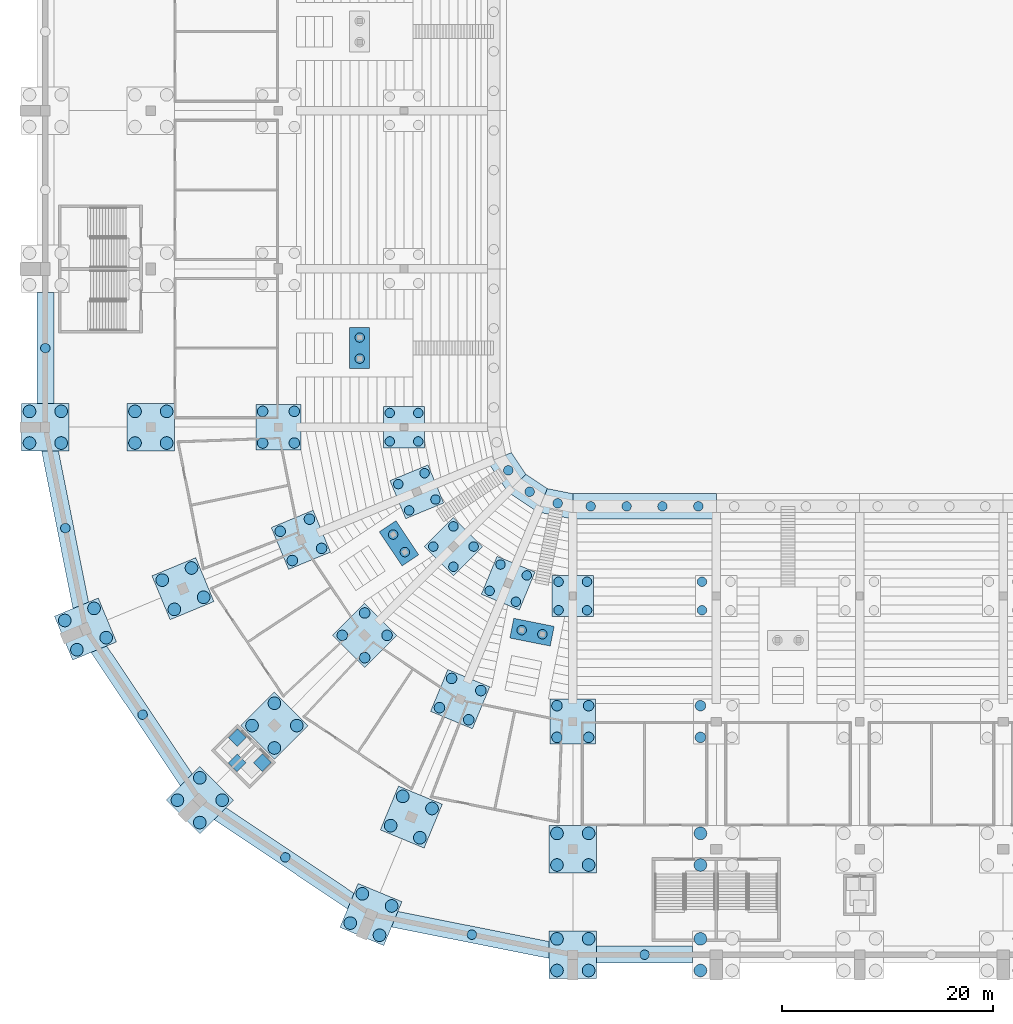
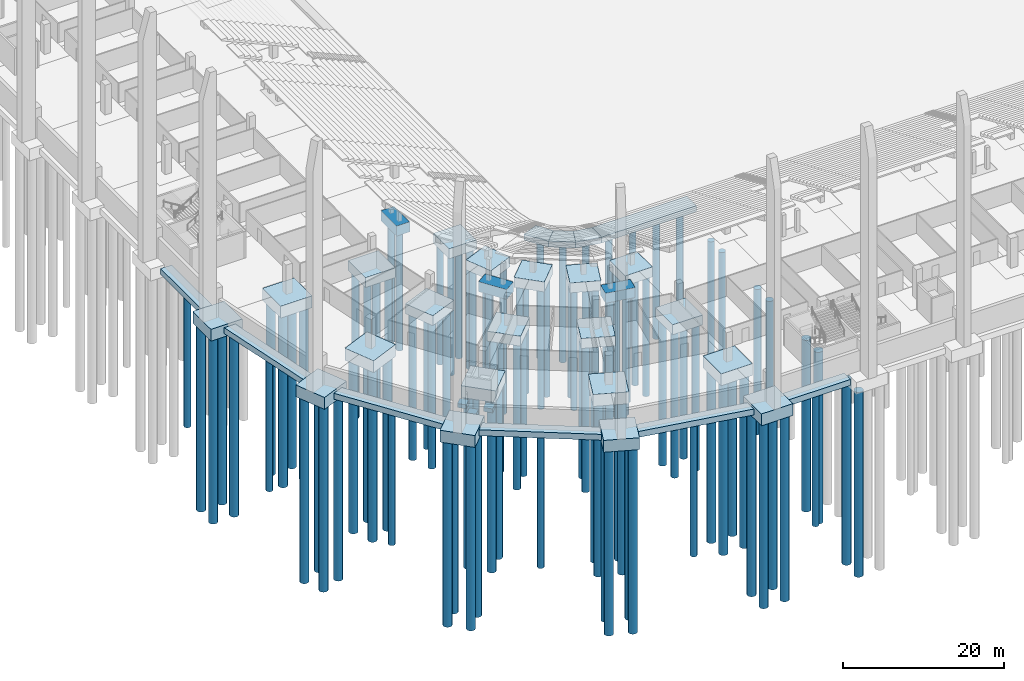
# One storey, part 1 of 115: 107 piles, 36 footings.
"""IFC4 building model written with IfcOpenShell, lengths in metres."""

from ifc_helpers import new_model, si_unit, direction, frame, origin, origin_2d, place, context, subcontext, project, spatial, polyline, rectangle, circle, outline, extrude, material, layer, layer_set, material_profile, profile_set, type_object, element, save


model = new_model("IFC4")

# Units and contexts
model_context = context("Model", 3, precision=1e-05, world=origin(), true_north=direction((0.0, 1.0)))
body_context = subcontext(model_context, "Body", "Model", "MODEL_VIEW")
ifc_project = project(units=[si_unit("LENGTHUNIT", "METRE"), si_unit("AREAUNIT", "SQUARE_METRE"), si_unit("VOLUMEUNIT", "CUBIC_METRE"), si_unit("PLANEANGLEUNIT", "RADIAN"), si_unit("MASSUNIT", "GRAM", prefix="KILO")], contexts=[model_context])

# Site, building, storey
site_placement = place(None, origin())
site = spatial("IfcSite", under=ifc_project, at=site_placement, CompositionType="ELEMENT")
building_placement = place(site_placement, origin())
building = spatial("IfcBuilding", under=site, at=building_placement, Name="Ogive Plaza Stadium", CompositionType="ELEMENT")
storey_placement = place(building_placement, frame((0.0, 0.0, -4.5)))
storey = spatial("IfcBuildingStorey", under=building, at=storey_placement, Name="B1", CompositionType="ELEMENT", Elevation=-4.5)

# Piles
ifc_material_1 = material(Name="Concrete C40/50", Category="concrete")
ifc_material_profile_1 = material_profile(ifc_material_1, circle(Radius=0.5, at=origin_2d()), Name="RC D1000")
ifc_profile_set_1 = profile_set([ifc_material_profile_1], Name="Concrete C40/50")
pile_type_1 = type_object("IfcPileType", Name="Bored pile D1000", PredefinedType="BORED", material=ifc_profile_set_1)
for number, where, z_axis, x_axis, name in (
    (1, (-21.89990234375, -78.89990234375, -1.5), (0.0, 0.0, -1.0), (1.0, 0.0, 0.0), "Bored pile F3:R16 1"),
    (2, (-21.89990234375, -81.89990234375, -1.5), (0.0, 0.0, -1.0), (1.0, 0.0, 0.0), "Bored pile F3:R16 3"),
    (3, (-35.5, -78.89990234375, -1.5), (0.0, 0.0, -1.0), (1.0, 0.0, 0.0), "Bored pile F3:R17 1"),
    (4, (-32.5, -78.89990234375, -1.5), (0.0, 0.0, -1.0), (1.0, 0.0, 0.0), "Bored pile F3:R17 2"),
    (5, (-35.5, -81.89990234375, -1.5), (0.0, 0.0, -1.0), (1.0, 0.0, 0.0), "Bored pile F3:R17 3"),
    (6, (-32.5, -81.89990234375, -1.5), (0.0, 0.0, -1.0), (1.0, 0.0, 0.0), "Bored pile F3:R17 4"),
    (7, (-45.48876953125, -76.31640625, -1.5), (0.0, 0.0, -1.0), (1.0, 0.0, 0.0), "Bored pile F3:R18 1"),
    (8, (-42.717041015625, -77.46435546875, -1.5), (0.0, 0.0, -1.0), (1.0, 0.0, 0.0), "Bored pile F3:R18 2"),
    (9, (-46.63671875, -79.088134765625, -1.5), (0.0, 0.0, -1.0), (1.0, 0.0, 0.0), "Bored pile F3:R18 3"),
    (10, (-43.864990234375, -80.236083984375, -1.5), (0.0, 0.0, -1.0), (1.0, 0.0, 0.0), "Bored pile F3:R18 4"),
    (11, (-53.728271484375, -70.10693359375, -1.5), (0.0, 0.0, -1.0), (1.0, 0.0, 0.0), "Bored pile F3:R19 1"),
    (12, (-51.60693359375, -72.228271484375, -1.5), (0.0, 0.0, -1.0), (1.0, 0.0, 0.0), "Bored pile F3:R19 2"),
    (13, (-55.849609375, -72.228271484375, -1.5), (0.0, 0.0, -1.0), (1.0, 0.0, 0.0), "Bored pile F3:R19 3"),
    (14, (-53.728271484375, -74.349609375, -1.5), (0.0, 0.0, -1.0), (1.0, 0.0, 0.0), "Bored pile F3:R19 4"),
    (15, (-58.96435546875, -61.217041015625, -1.5), (0.0, 0.0, -1.0), (1.0, 0.0, 0.0), "Bored pile F3:R20 1"),
    (16, (-57.81640625, -63.98876953125, -1.5), (0.0, 0.0, -1.0), (1.0, 0.0, 0.0), "Bored pile F3:R20 2"),
    (17, (-61.736083984375, -62.364990234375, -1.5), (0.0, 0.0, -1.0), (1.0, 0.0, 0.0), "Bored pile F3:R20 3"),
    (18, (-60.588134765625, -65.13671875, -1.5), (0.0, 0.0, -1.0), (1.0, 0.0, 0.0), "Bored pile F3:R20 4"),
    (19, (-60.39990234375, -51.0, -1.5), (0.0, 0.0, -1.0), (1.0, 0.0, 0.0), "Bored pile F3:R21 1"),
    (20, (-60.39990234375, -54.0, -1.5), (0.0, 0.0, -1.0), (1.0, 0.0, 0.0), "Bored pile F3:R21 2"),
    (21, (-63.39990234375, -51.0, -1.5), (0.0, 0.0, -1.0), (1.0, 0.0, 0.0), "Bored pile F3:R21 3"),
    (22, (-63.39990234375, -54.0, -1.5), (0.0, 0.0, -1.0), (1.0, 0.0, 0.0), "Bored pile F3:R21 4"),
):
    element("IfcPile", number, at=place(storey_placement, frame(where, z_axis=z_axis, x_axis=x_axis)), inside=storey, type_object=pile_type_1, Name=name, PredefinedType="BORED", context=body_context, shape_type="SweptSolid", body=[
        extrude(circle(Radius=0.5, at=origin_2d()), origin(), (0.0, 0.0, 1.0), 22.0),
    ])
ifc_material_2 = material(Name="Concrete C40/50", Category="concrete")
ifc_material_profile_2 = material_profile(ifc_material_2, circle(Radius=0.60009765625, at=origin_2d()), Name="RC D1200")
ifc_profile_set_2 = profile_set([ifc_material_profile_2], Name="Concrete C40/50")
pile_type_2 = type_object("IfcPileType", Name="Bored pile D1200", PredefinedType="BORED", material=ifc_profile_set_2)
for number, where, z_axis, x_axis, name in (
    (23, (-21.89990234375, -91.0, -1.800048828125), (0.0, 0.0, -1.0), (1.0, 0.0, 0.0), "Bored pile F4:R16 1"),
    (24, (-21.89990234375, -94.0, -1.800048828125), (0.0, 0.0, -1.0), (1.0, 0.0, 0.0), "Bored pile F4:R16 3"),
):
    element("IfcPile", number, at=place(storey_placement, frame(where, z_axis=z_axis, x_axis=x_axis)), inside=storey, type_object=pile_type_2, Name=name, PredefinedType="BORED", context=body_context, shape_type="SweptSolid", body=[
        extrude(circle(Radius=0.60009765625, at=origin_2d()), origin(), (0.0, 0.0, 1.0), 26.0),
    ])
for number, where, z_axis, x_axis, name in (
    (25, (-21.89990234375, -101.0, -1.800048828125), (0.0, 0.0, -1.0), (1.0, 0.0, 0.0), "Bored pile F5:R16 1"),
    (26, (-21.89990234375, -104.0, -1.800048828125), (0.0, 0.0, -1.0), (1.0, 0.0, 0.0), "Bored pile F5:R16 3"),
):
    element("IfcPile", number, at=place(storey_placement, frame(where, z_axis=z_axis, x_axis=x_axis)), inside=storey, type_object=pile_type_2, Name=name, PredefinedType="BORED", context=body_context, shape_type="SweptSolid", body=[
        extrude(circle(Radius=0.60009765625, at=origin_2d()), origin(), (0.0, 0.0, 1.0), 28.0),
    ])
for number, where, z_axis, x_axis, name in (
    (27, (-35.5, -91.0, -1.800048828125), (0.0, 0.0, -1.0), (1.0, 0.0, 0.0), "Bored pile F4:R17 1"),
    (28, (-32.5, -91.0, -1.800048828125), (0.0, 0.0, -1.0), (1.0, 0.0, 0.0), "Bored pile F4:R17 2"),
    (29, (-35.5, -94.0, -1.800048828125), (0.0, 0.0, -1.0), (1.0, 0.0, 0.0), "Bored pile F4:R17 3"),
    (30, (-32.5, -94.0, -1.800048828125), (0.0, 0.0, -1.0), (1.0, 0.0, 0.0), "Bored pile F4:R17 4"),
):
    element("IfcPile", number, at=place(storey_placement, frame(where, z_axis=z_axis, x_axis=x_axis)), inside=storey, type_object=pile_type_2, Name=name, PredefinedType="BORED", context=body_context, shape_type="SweptSolid", body=[
        extrude(circle(Radius=0.60009765625, at=origin_2d()), origin(), (0.0, 0.0, 1.0), 26.0),
    ])
for number, where, z_axis, x_axis, name in (
    (31, (-35.5, -101.0, -1.800048828125), (0.0, 0.0, -1.0), (1.0, 0.0, 0.0), "Bored pile F5:R17 1"),
    (32, (-32.5, -101.0, -1.800048828125), (0.0, 0.0, -1.0), (1.0, 0.0, 0.0), "Bored pile F5:R17 2"),
    (33, (-35.5, -104.0, -1.800048828125), (0.0, 0.0, -1.0), (1.0, 0.0, 0.0), "Bored pile F5:R17 3"),
    (34, (-32.5, -104.0, -1.800048828125), (0.0, 0.0, -1.0), (1.0, 0.0, 0.0), "Bored pile F5:R17 4"),
):
    element("IfcPile", number, at=place(storey_placement, frame(where, z_axis=z_axis, x_axis=x_axis)), inside=storey, type_object=pile_type_2, Name=name, PredefinedType="BORED", context=body_context, shape_type="SweptSolid", body=[
        extrude(circle(Radius=0.60009765625, at=origin_2d()), origin(), (0.0, 0.0, 1.0), 28.0),
    ])
for number, where, z_axis, x_axis, name in (
    (35, (-50.119140625, -87.495361328125, -1.800048828125), (0.0, 0.0, -1.0), (1.0, 0.0, 0.0), "Bored pile F4:R18 1"),
    (36, (-47.347412109375, -88.643310546875, -1.800048828125), (0.0, 0.0, -1.0), (1.0, 0.0, 0.0), "Bored pile F4:R18 2"),
    (37, (-51.26708984375, -90.26708984375, -1.800048828125), (0.0, 0.0, -1.0), (1.0, 0.0, 0.0), "Bored pile F4:R18 3"),
    (38, (-48.49560546875, -91.4150390625, -1.800048828125), (0.0, 0.0, -1.0), (1.0, 0.0, 0.0), "Bored pile F4:R18 4"),
):
    element("IfcPile", number, at=place(storey_placement, frame(where, z_axis=z_axis, x_axis=x_axis)), inside=storey, type_object=pile_type_2, Name=name, PredefinedType="BORED", context=body_context, shape_type="SweptSolid", body=[
        extrude(circle(Radius=0.60009765625, at=origin_2d()), origin(), (0.0, 0.0, 1.0), 26.0),
    ])
for number, where, z_axis, x_axis, name in (
    (39, (-53.946044921875, -96.734130859375, -1.800048828125), (0.0, 0.0, -1.0), (1.0, 0.0, 0.0), "Bored pile F5:R18 1"),
    (40, (-51.17431640625, -97.882080078125, -1.800048828125), (0.0, 0.0, -1.0), (1.0, 0.0, 0.0), "Bored pile F5:R18 2"),
    (41, (-55.093994140625, -99.505859375, -1.800048828125), (0.0, 0.0, -1.0), (1.0, 0.0, 0.0), "Bored pile F5:R18 3"),
    (42, (-52.322265625, -100.65380859375, -1.800048828125), (0.0, 0.0, -1.0), (1.0, 0.0, 0.0), "Bored pile F5:R18 4"),
):
    element("IfcPile", number, at=place(storey_placement, frame(where, z_axis=z_axis, x_axis=x_axis)), inside=storey, type_object=pile_type_2, Name=name, PredefinedType="BORED", context=body_context, shape_type="SweptSolid", body=[
        extrude(circle(Radius=0.60009765625, at=origin_2d()), origin(), (0.0, 0.0, 1.0), 28.0),
    ])
for number, where, z_axis, x_axis, name in (
    (43, (-62.2841796875, -78.662841796875, -1.800048828125), (0.0, 0.0, -1.0), (1.0, 0.0, 0.0), "Bored pile F4:R19 1"),
    (44, (-60.162841796875, -80.7841796875, -1.800048828125), (0.0, 0.0, -1.0), (1.0, 0.0, 0.0), "Bored pile F4:R19 2"),
    (45, (-64.405517578125, -80.7841796875, -1.800048828125), (0.0, 0.0, -1.0), (1.0, 0.0, 0.0), "Bored pile F4:R19 3"),
    (46, (-62.2841796875, -82.905517578125, -1.800048828125), (0.0, 0.0, -1.0), (1.0, 0.0, 0.0), "Bored pile F4:R19 4"),
):
    element("IfcPile", number, at=place(storey_placement, frame(where, z_axis=z_axis, x_axis=x_axis)), inside=storey, type_object=pile_type_2, Name=name, PredefinedType="BORED", context=body_context, shape_type="SweptSolid", body=[
        extrude(circle(Radius=0.60009765625, at=origin_2d()), origin(), (0.0, 0.0, 1.0), 26.0),
    ])
for number, where, z_axis, x_axis, name in (
    (47, (-69.355224609375, -85.734130859375, -1.800048828125), (0.0, 0.0, -1.0), (1.0, 0.0, 0.0), "Bored pile F5:R19 1"),
    (48, (-67.234130859375, -87.855224609375, -1.800048828125), (0.0, 0.0, -1.0), (1.0, 0.0, 0.0), "Bored pile F5:R19 2"),
    (49, (-71.4765625, -87.855224609375, -1.800048828125), (0.0, 0.0, -1.0), (1.0, 0.0, 0.0), "Bored pile F5:R19 3"),
    (50, (-69.355224609375, -89.9765625, -1.800048828125), (0.0, 0.0, -1.0), (1.0, 0.0, 0.0), "Bored pile F5:R19 4"),
):
    element("IfcPile", number, at=place(storey_placement, frame(where, z_axis=z_axis, x_axis=x_axis)), inside=storey, type_object=pile_type_2, Name=name, PredefinedType="BORED", context=body_context, shape_type="SweptSolid", body=[
        extrude(circle(Radius=0.60009765625, at=origin_2d()), origin(), (0.0, 0.0, 1.0), 28.0),
    ])
for number, where, z_axis, x_axis, name in (
    (51, (-70.143310546875, -65.847412109375, -1.800048828125), (0.0, 0.0, -1.0), (1.0, 0.0, 0.0), "Bored pile F4:R20 1"),
    (52, (-68.995361328125, -68.619140625, -1.800048828125), (0.0, 0.0, -1.0), (1.0, 0.0, 0.0), "Bored pile F4:R20 2"),
    (53, (-72.9150390625, -66.99560546875, -1.800048828125), (0.0, 0.0, -1.0), (1.0, 0.0, 0.0), "Bored pile F4:R20 3"),
    (54, (-71.76708984375, -69.76708984375, -1.800048828125), (0.0, 0.0, -1.0), (1.0, 0.0, 0.0), "Bored pile F4:R20 4"),
):
    element("IfcPile", number, at=place(storey_placement, frame(where, z_axis=z_axis, x_axis=x_axis)), inside=storey, type_object=pile_type_2, Name=name, PredefinedType="BORED", context=body_context, shape_type="SweptSolid", body=[
        extrude(circle(Radius=0.60009765625, at=origin_2d()), origin(), (0.0, 0.0, 1.0), 26.0),
    ])
for number, where, z_axis, x_axis, name in (
    (55, (-79.382080078125, -69.67431640625, -1.800048828125), (0.0, 0.0, -1.0), (1.0, 0.0, 0.0), "Bored pile F5:R20 1"),
    (56, (-78.234130859375, -72.446044921875, -1.800048828125), (0.0, 0.0, -1.0), (1.0, 0.0, 0.0), "Bored pile F5:R20 2"),
    (57, (-82.15380859375, -70.822265625, -1.800048828125), (0.0, 0.0, -1.0), (1.0, 0.0, 0.0), "Bored pile F5:R20 3"),
    (58, (-81.005859375, -73.593994140625, -1.800048828125), (0.0, 0.0, -1.0), (1.0, 0.0, 0.0), "Bored pile F5:R20 4"),
):
    element("IfcPile", number, at=place(storey_placement, frame(where, z_axis=z_axis, x_axis=x_axis)), inside=storey, type_object=pile_type_2, Name=name, PredefinedType="BORED", context=body_context, shape_type="SweptSolid", body=[
        extrude(circle(Radius=0.60009765625, at=origin_2d()), origin(), (0.0, 0.0, 1.0), 28.0),
    ])
for number, where, z_axis, x_axis, name in (
    (59, (-72.5, -51.0, -1.800048828125), (0.0, 0.0, -1.0), (1.0, 0.0, 0.0), "Bored pile F4:R21 1"),
    (60, (-72.5, -54.0, -1.800048828125), (0.0, 0.0, -1.0), (1.0, 0.0, 0.0), "Bored pile F4:R21 2"),
    (61, (-75.5, -51.0, -1.800048828125), (0.0, 0.0, -1.0), (1.0, 0.0, 0.0), "Bored pile F4:R21 3"),
    (62, (-75.5, -54.0, -1.800048828125), (0.0, 0.0, -1.0), (1.0, 0.0, 0.0), "Bored pile F4:R21 4"),
):
    element("IfcPile", number, at=place(storey_placement, frame(where, z_axis=z_axis, x_axis=x_axis)), inside=storey, type_object=pile_type_2, Name=name, PredefinedType="BORED", context=body_context, shape_type="SweptSolid", body=[
        extrude(circle(Radius=0.60009765625, at=origin_2d()), origin(), (0.0, 0.0, 1.0), 26.0),
    ])
for number, where, z_axis, x_axis, name in (
    (63, (-82.5, -51.0, -1.800048828125), (0.0, 0.0, -1.0), (1.0, 0.0, 0.0), "Bored pile F5:R21 1"),
    (64, (-82.5, -54.0, -1.800048828125), (0.0, 0.0, -1.0), (1.0, 0.0, 0.0), "Bored pile F5:R21 2"),
    (65, (-85.5, -51.0, -1.800048828125), (0.0, 0.0, -1.0), (1.0, 0.0, 0.0), "Bored pile F5:R21 3"),
    (66, (-85.5, -54.0, -1.800048828125), (0.0, 0.0, -1.0), (1.0, 0.0, 0.0), "Bored pile F5:R21 4"),
):
    element("IfcPile", number, at=place(storey_placement, frame(where, z_axis=z_axis, x_axis=x_axis)), inside=storey, type_object=pile_type_2, Name=name, PredefinedType="BORED", context=body_context, shape_type="SweptSolid", body=[
        extrude(circle(Radius=0.60009765625, at=origin_2d()), origin(), (0.0, 0.0, 1.0), 28.0),
    ])
ifc_material_3 = material(Name="Concrete C40/50", Category="concrete")
ifc_material_profile_3 = material_profile(ifc_material_3, circle(Radius=0.449951171875, at=origin_2d()), Name="RC D900")
ifc_profile_set_3 = profile_set([ifc_material_profile_3], Name="Concrete C40/50")
pile_type_3 = type_object("IfcPileType", Name="Bored pile D900", PredefinedType="BORED", material=ifc_profile_set_3)
for number, where, z_axis, x_axis, name in (
    (67, (-21.75, -67.14990234375, -1.5), (0.0, 0.0, -1.0), (1.0, 0.0, 0.0), "Bored pile F1:R16 1"),
    (68, (-21.75, -69.85009765625, -1.5), (0.0, 0.0, -1.0), (1.0, 0.0, 0.0), "Bored pile F1:R16 3"),
    (69, (-35.35009765625, -67.14990234375, -1.5), (0.0, 0.0, -1.0), (1.0, 0.0, 0.0), "Bored pile F1:R17 1"),
    (70, (-32.64990234375, -67.14990234375, -1.5), (0.0, 0.0, -1.0), (1.0, 0.0, 0.0), "Bored pile F1:R17 2"),
    (71, (-35.35009765625, -69.85009765625, -1.5), (0.0, 0.0, -1.0), (1.0, 0.0, 0.0), "Bored pile F1:R17 3"),
    (72, (-32.64990234375, -69.85009765625, -1.5), (0.0, 0.0, -1.0), (1.0, 0.0, 0.0), "Bored pile F1:R17 4"),
    (73, (-40.853515625, -65.518310546875, -1.5), (0.0, 0.0, -1.0), (1.0, 0.0, 0.0), "Bored pile F1:R18 1"),
    (74, (-38.359130859375, -66.551513671875, -1.5), (0.0, 0.0, -1.0), (1.0, 0.0, 0.0), "Bored pile F1:R18 2"),
    (75, (-41.88671875, -68.0126953125, -1.5), (0.0, 0.0, -1.0), (1.0, 0.0, 0.0), "Bored pile F1:R18 3"),
    (76, (-39.392333984375, -69.0458984375, -1.5), (0.0, 0.0, -1.0), (1.0, 0.0, 0.0), "Bored pile F1:R18 4"),
    (77, (-45.313720703125, -61.904541015625, -1.5), (0.0, 0.0, -1.0), (1.0, 0.0, 0.0), "Bored pile F1:R19 1"),
    (78, (-43.404541015625, -63.813720703125, -1.5), (0.0, 0.0, -1.0), (1.0, 0.0, 0.0), "Bored pile F1:R19 2"),
    (79, (-47.222900390625, -63.813720703125, -1.5), (0.0, 0.0, -1.0), (1.0, 0.0, 0.0), "Bored pile F1:R19 3"),
    (80, (-45.313720703125, -65.722900390625, -1.5), (0.0, 0.0, -1.0), (1.0, 0.0, 0.0), "Bored pile F1:R19 4"),
    (81, (-48.051513671875, -56.859130859375, -1.5), (0.0, 0.0, -1.0), (1.0, 0.0, 0.0), "Bored pile F1:R20 1"),
    (82, (-47.018310546875, -59.353515625, -1.5), (0.0, 0.0, -1.0), (1.0, 0.0, 0.0), "Bored pile F1:R20 2"),
    (83, (-50.5458984375, -57.892333984375, -1.5), (0.0, 0.0, -1.0), (1.0, 0.0, 0.0), "Bored pile F1:R20 3"),
    (84, (-49.5126953125, -60.38671875, -1.5), (0.0, 0.0, -1.0), (1.0, 0.0, 0.0), "Bored pile F1:R20 4"),
    (85, (-48.64990234375, -51.14990234375, -1.5), (0.0, 0.0, -1.0), (1.0, 0.0, 0.0), "Bored pile F1:R21 1"),
    (86, (-48.64990234375, -53.85009765625, -1.5), (0.0, 0.0, -1.0), (1.0, 0.0, 0.0), "Bored pile F1:R21 2"),
    (87, (-51.35009765625, -51.14990234375, -1.5), (0.0, 0.0, -1.0), (1.0, 0.0, 0.0), "Bored pile F1:R21 3"),
    (88, (-51.35009765625, -53.85009765625, -1.5), (0.0, 0.0, -1.0), (1.0, 0.0, 0.0), "Bored pile F1:R21 4"),
    (89, (-22.10009765625, -60.0, -1.300048828125), (0.0, 0.0, -1.0), (1.0, 0.0, 0.0), "Bored pile F0:B16 1"),
    (90, (-25.5, -60.0, -1.300048828125), (0.0, 0.0, -1.0), (1.0, 0.0, 0.0), "Bored pile F0:B16 2"),
    (91, (-28.89990234375, -60.0, -1.300048828125), (0.0, 0.0, -1.0), (1.0, 0.0, 0.0), "Bored pile F0:B16 3"),
    (92, (-32.300048828125, -60.0, -1.300048828125), (0.0, 0.0, -1.0), (1.0, 0.0, 0.0), "Bored pile F0:B16 4"),
    (93, (-35.43505859375, -59.714599609375, -1.300048828125), (0.0, 0.0, -1.0), (1.0, 0.0, 0.0), "Bored pile F0:B17 1"),
    (94, (-38.086669921875, -58.6162109375, -1.300048828125), (0.0, 0.0, -1.0), (1.0, 0.0, 0.0), "Bored pile F0:B18 1"),
    (95, (-40.1162109375, -56.586669921875, -1.300048828125), (0.0, 0.0, -1.0), (1.0, 0.0, 0.0), "Bored pile F0:B19 1"),
):
    element("IfcPile", number, at=place(storey_placement, frame(where, z_axis=z_axis, x_axis=x_axis)), inside=storey, type_object=pile_type_3, Name=name, PredefinedType="BORED", context=body_context, shape_type="SweptSolid", body=[
        extrude(circle(Radius=0.449951171875, at=origin_2d()), origin(), (0.0, 0.0, 1.0), 18.0),
    ])
for number, where, z_axis, x_axis, name in (
    (96, (-27.199951171875, -102.5, -1.300048828125), (0.0, 0.0, -1.0), (1.0, 0.0, 0.0), "Bored pile RET:B16 1"),
    (97, (-43.568115234375, -100.602294921875, -1.300048828125), (0.0, 0.0, -1.0), (1.0, 0.0, 0.0), "Bored pile RET:B17 1"),
    (98, (-61.247802734375, -93.279296875, -1.300048828125), (0.0, 0.0, -1.0), (1.0, 0.0, 0.0), "Bored pile RET:B18 1"),
    (99, (-74.779296875, -79.747802734375, -1.300048828125), (0.0, 0.0, -1.0), (1.0, 0.0, 0.0), "Bored pile RET:B19 1"),
    (100, (-82.102294921875, -62.068115234375, -1.300048828125), (0.0, 0.0, -1.0), (1.0, 0.0, 0.0), "Bored pile RET:B20 1"),
    (101, (-84.0, -45.0, -1.300048828125), (0.0, 0.0, -1.0), (1.0, 0.0, 0.0), "Bored pile RET:B21 1"),
):
    element("IfcPile", number, at=place(storey_placement, frame(where, z_axis=z_axis, x_axis=x_axis)), inside=storey, type_object=pile_type_3, Name=name, PredefinedType="BORED", context=body_context, shape_type="SweptSolid", body=[
        extrude(circle(Radius=0.449951171875, at=origin_2d()), origin(), (0.0, 0.0, 1.0), 20.0),
    ])
for number, where, z_axis, x_axis, name in (
    (102, (-38.845947265625, -71.736083984375, -1.5), (0.0, 0.0, -1.0), (1.0, 0.0, 0.0), "Bored pile F1V:B17 1"),
    (103, (-36.88427734375, -72.126220703125, -1.5), (0.0, 0.0, -1.0), (1.0, 0.0, 0.0), "Bored pile F1V:B17 2"),
    (104, (-51.028564453125, -62.67529296875, -1.5), (0.0, 0.0, -1.0), (1.0, 0.0, 0.0), "Bored pile F1V:B19 1"),
    (105, (-49.91748046875, -64.33837890625, -1.5), (0.0, 0.0, -1.0), (1.0, 0.0, 0.0), "Bored pile F1V:B19 2"),
    (106, (-54.199951171875, -44.0, -1.5), (0.0, 0.0, -1.0), (1.0, 0.0, 0.0), "Bored pile F1V:B21 1"),
    (107, (-54.199951171875, -46.0, -1.5), (0.0, 0.0, -1.0), (1.0, 0.0, 0.0), "Bored pile F1V:B21 2"),
):
    element("IfcPile", number, at=place(storey_placement, frame(where, z_axis=z_axis, x_axis=x_axis)), inside=storey, type_object=pile_type_3, Name=name, PredefinedType="BORED", context=body_context, shape_type="SweptSolid", body=[
        extrude(circle(Radius=0.449951171875, at=origin_2d()), origin(), (0.0, 0.0, 1.0), 18.0),
    ])

# Footings
ifc_material_4 = material(Name="Concrete C40/50", Category="concrete")
ifc_layer_1 = layer(ifc_material_4, 0.60009765625)
ifc_layer_set_1 = layer_set([ifc_layer_1], Name="Concrete C40/50")
footing_type_1 = type_object("IfcFootingType", Name="Lift pit pad 1200x1200", PredefinedType="PAD_FOOTING", material=ifc_layer_set_1)
for number, where, z_axis, x_axis, name in (
    (108, (-65.80224609375, -81.933349609375, -2.2099609375), (0.0, 0.0, 1.0), (-0.707106781187, -0.707106781187, 0.0), "Lift pit pad LP19"),
    (109, (-63.433349609375, -84.30224609375, -2.2099609375), (0.0, 0.0, 1.0), (-0.707106781187, -0.707106781187, 0.0), "Lift pit pad LP19"),
    (110, (-65.81982421875, -84.31982421875, -2.2099609375), (0.0, 0.0, 1.0), (-0.707106781187, -0.707106781187, 0.0), "Lift pit pad LP19"),
):
    element("IfcFooting", number, at=place(storey_placement, frame(where, z_axis=z_axis, x_axis=x_axis)), inside=storey, type_object=footing_type_1, Name=name, PredefinedType="PAD_FOOTING", context=body_context, shape_type="SweptSolid", body=[
        extrude(rectangle(XDim=1.199951171875, YDim=1.199951171875, at=origin_2d()), origin(), (0.0, 0.0, 1.0), 0.60009765625),
    ])
ifc_material_5 = material(Name="Concrete C40/50", Category="concrete")
ifc_layer_2 = layer(ifc_material_5, 1.5)
ifc_layer_set_2 = layer_set([ifc_layer_2], Name="Concrete C40/50")
footing_type_2 = type_object("IfcFootingType", Name="Pile cap F1 3900x1500", PredefinedType="PILE_CAP", material=ifc_layer_set_2)
for number, where, z_axis, x_axis, name in (
    (111, (-34.0, -68.5, -1.5), (0.0, 0.0, 1.0), (0.0, -1.0, 0.0), "Pile cap F1 R17"),
    (112, (-40.123046875, -67.281982421875, -1.5), (0.0, 0.0, 1.0), (-0.382683432365, -0.923879532511, 0.0), "Pile cap F1 R18"),
    (113, (-45.313720703125, -63.813720703125, -1.5), (0.0, 0.0, 1.0), (-0.707106781187, -0.707106781187, 0.0), "Pile cap F1 R19"),
    (114, (-48.781982421875, -58.623046875, -1.5), (0.0, 0.0, 1.0), (-0.923879532511, -0.382683432365, 0.0), "Pile cap F1 R20"),
    (115, (-50.0, -52.5, -1.5), (0.0, 0.0, 1.0), (-1.0, 0.0, 0.0), "Pile cap F1 R21"),
):
    element("IfcFooting", number, at=place(storey_placement, frame(where, z_axis=z_axis, x_axis=x_axis)), inside=storey, type_object=footing_type_2, Name=name, PredefinedType="PILE_CAP", context=body_context, shape_type="SweptSolid", body=[
        extrude(rectangle(XDim=3.89990234375, YDim=3.89990234375, at=origin_2d()), origin(), (0.0, 0.0, 1.0), 1.5),
    ])
ifc_material_6 = material(Name="Concrete C40/50", Category="concrete")
ifc_layer_3 = layer(ifc_material_6, 1.5)
ifc_layer_set_3 = layer_set([ifc_layer_3], Name="Concrete C40/50")
footing_type_3 = type_object("IfcFootingType", Name="Pile cap F1V 1900x3900", PredefinedType="PILE_CAP", material=ifc_layer_set_3)
for number, where, z_axis, x_axis, name in (
    (116, (-37.864990234375, -71.93115234375, -1.5), (0.0, 0.0, 1.0), (-0.195090322016, -0.980785280403, 0.0), "Pile cap F1V B17"),
    (117, (-50.472900390625, -63.5068359375, -1.5), (0.0, 0.0, 1.0), (-0.831469612303, -0.55557023302, 0.0), "Pile cap F1V B19"),
    (118, (-54.199951171875, -45.0, -1.5), (0.0, 0.0, 1.0), (-1.0, 0.0, 0.0), "Pile cap F1V B21"),
):
    element("IfcFooting", number, at=place(storey_placement, frame(where, z_axis=z_axis, x_axis=x_axis)), inside=storey, type_object=footing_type_3, Name=name, PredefinedType="PILE_CAP", context=body_context, shape_type="SweptSolid", body=[
        extrude(rectangle(XDim=1.89990234375, YDim=3.89990234375, at=origin_2d()), origin(), (0.0, 0.0, 1.0), 1.5),
    ])
ifc_material_7 = material(Name="Concrete C40/50", Category="concrete")
ifc_layer_4 = layer(ifc_material_7, 1.5)
ifc_layer_set_4 = layer_set([ifc_layer_4], Name="Concrete C40/50")
footing_type_4 = type_object("IfcFootingType", Name="Pile cap F3 4300x1500", PredefinedType="PILE_CAP", material=ifc_layer_set_4)
for number, where, z_axis, x_axis, name in (
    (119, (-34.0, -80.39990234375, -1.5), (0.0, 0.0, 1.0), (0.0, -1.0, 0.0), "Pile cap F3 R17"),
    (120, (-44.6767578125, -78.276123046875, -1.5), (0.0, 0.0, 1.0), (-0.382683432365, -0.923879532511, 0.0), "Pile cap F3 R18"),
    (121, (-53.728271484375, -72.228271484375, -1.5), (0.0, 0.0, 1.0), (-0.707106781187, -0.707106781187, 0.0), "Pile cap F3 R19"),
    (122, (-59.776123046875, -63.1767578125, -1.5), (0.0, 0.0, 1.0), (-0.923879532511, -0.382683432365, 0.0), "Pile cap F3 R20"),
    (123, (-61.89990234375, -52.5, -1.5), (0.0, 0.0, 1.0), (-1.0, 0.0, 0.0), "Pile cap F3 R21"),
):
    element("IfcFooting", number, at=place(storey_placement, frame(where, z_axis=z_axis, x_axis=x_axis)), inside=storey, type_object=footing_type_4, Name=name, PredefinedType="PILE_CAP", context=body_context, shape_type="SweptSolid", body=[
        extrude(rectangle(XDim=4.300048828125, YDim=4.300048828125, at=origin_2d()), origin(), (0.0, 0.0, 1.0), 1.5),
    ])
ifc_material_8 = material(Name="Concrete C40/50", Category="concrete")
ifc_layer_5 = layer(ifc_material_8, 1.800048828125)
ifc_layer_set_5 = layer_set([ifc_layer_5], Name="Concrete C40/50")
footing_type_5 = type_object("IfcFootingType", Name="Pile cap F4 4500x1800", PredefinedType="PILE_CAP", material=ifc_layer_set_5)
for number, where, z_axis, x_axis, name in (
    (124, (-34.0, -92.5, -1.7998046875), (0.0, 0.0, 1.0), (0.0, -1.0, 0.0), "Pile cap F4 R17"),
    (125, (-49.307373046875, -89.455078125, -1.7998046875), (0.0, 0.0, 1.0), (-0.382683432365, -0.923879532511, 0.0), "Pile cap F4 R18"),
    (126, (-62.2841796875, -80.7841796875, -1.7998046875), (0.0, 0.0, 1.0), (-0.707106781187, -0.707106781187, 0.0), "Pile cap F4 R19"),
    (127, (-70.955078125, -67.807373046875, -1.7998046875), (0.0, 0.0, 1.0), (-0.923879532511, -0.382683432365, 0.0), "Pile cap F4 R20"),
    (128, (-74.0, -52.5, -1.7998046875), (0.0, 0.0, 1.0), (-1.0, 0.0, 0.0), "Pile cap F4 R21"),
):
    element("IfcFooting", number, at=place(storey_placement, frame(where, z_axis=z_axis, x_axis=x_axis)), inside=storey, type_object=footing_type_5, Name=name, PredefinedType="PILE_CAP", context=body_context, shape_type="SweptSolid", body=[
        extrude(rectangle(XDim=4.5, YDim=4.5, at=origin_2d()), origin(), (0.0, 0.0, 1.0), 1.800048828125),
    ])
ifc_material_9 = material(Name="Concrete C40/50", Category="concrete")
ifc_layer_6 = layer(ifc_material_9, 1.800048828125)
ifc_layer_set_6 = layer_set([ifc_layer_6], Name="Concrete C40/50")
footing_type_6 = type_object("IfcFootingType", Name="Pile cap F5 4500x1800", PredefinedType="PILE_CAP", material=ifc_layer_set_6)
for number, where, z_axis, x_axis, name in (
    (129, (-34.0, -102.5, -1.7998046875), (0.0, 0.0, 1.0), (0.0, -1.0, 0.0), "Pile cap F5 R17"),
    (130, (-53.13427734375, -98.694091796875, -1.7998046875), (0.0, 0.0, 1.0), (-0.382683432365, -0.923879532511, 0.0), "Pile cap F5 R18"),
    (131, (-69.355224609375, -87.855224609375, -1.7998046875), (0.0, 0.0, 1.0), (-0.707106781187, -0.707106781187, 0.0), "Pile cap F5 R19"),
    (132, (-80.194091796875, -71.63427734375, -1.7998046875), (0.0, 0.0, 1.0), (-0.923879532511, -0.382683432365, 0.0), "Pile cap F5 R20"),
    (133, (-84.0, -52.5, -1.7998046875), (0.0, 0.0, 1.0), (-1.0, 0.0, 0.0), "Pile cap F5 R21"),
):
    element("IfcFooting", number, at=place(storey_placement, frame(where, z_axis=z_axis, x_axis=x_axis)), inside=storey, type_object=footing_type_6, Name=name, PredefinedType="PILE_CAP", context=body_context, shape_type="SweptSolid", body=[
        extrude(rectangle(XDim=4.5, YDim=4.5, at=origin_2d()), origin(), (0.0, 0.0, 1.0), 1.800048828125),
    ])
ifc_material_10 = material(Name="Concrete C40/50", Category="concrete")
ifc_layer_7 = layer(ifc_material_10, 0.89990234375)
ifc_layer_set_7 = layer_set([ifc_layer_7], Name="Concrete C40/50")
footing_type_7 = type_object("IfcFootingType", Name="Strip footing F0 900", PredefinedType="STRIP_FOOTING", material=ifc_layer_set_7)
footing_1_placement = place(storey_placement, frame((0.0, 0.0, -1.300048828125)))
element("IfcFooting", 134, at=footing_1_placement, inside=storey, type_object=footing_type_7, Name="Strip footing F0 B16", PredefinedType="STRIP_FOOTING", context=body_context, shape_type="SweptSolid", body=[
    extrude(outline(polyline([(-34.0, -58.800048828125), (-34.0, -61.199951171875), (-20.39990234375, -61.199951171875), (-20.39990234375, -58.800048828125), (-34.0, -58.800048828125)])), origin(), (0.0, 0.0, 1.0), 0.900146484375),
])
footing_2_placement = place(storey_placement, frame((0.0, 0.0, -1.300048828125)))
element("IfcFooting", 135, at=footing_2_placement, inside=storey, type_object=footing_type_7, Name="Strip footing F0 B17", PredefinedType="STRIP_FOOTING", context=body_context, shape_type="SweptSolid", body=[
    extrude(outline(polyline([(-36.410888671875, -58.320556640625), (-37.329345703125, -60.537841796875), (-34.0, -61.199951171875), (-34.0, -58.800048828125), (-36.410888671875, -58.320556640625)])), origin(), (0.0, 0.0, 1.0), 0.900146484375),
])
footing_3_placement = place(storey_placement, frame((0.0, 0.0, -1.300048828125)))
element("IfcFooting", 136, at=footing_3_placement, inside=storey, type_object=footing_type_7, Name="Strip footing F0 B18", PredefinedType="STRIP_FOOTING", context=body_context, shape_type="SweptSolid", body=[
    extrude(outline(polyline([(-38.454833984375, -56.954833984375), (-40.15185546875, -58.65185546875), (-37.329345703125, -60.537841796875), (-36.410888671875, -58.320556640625), (-38.454833984375, -56.954833984375)])), origin(), (0.0, 0.0, 1.0), 0.900146484375),
])
footing_4_placement = place(storey_placement, frame((0.0, 0.0, -1.300048828125)))
element("IfcFooting", 137, at=footing_4_placement, inside=storey, type_object=footing_type_7, Name="Strip footing F0 B19", PredefinedType="STRIP_FOOTING", context=body_context, shape_type="SweptSolid", body=[
    extrude(outline(polyline([(-39.820556640625, -54.910888671875), (-42.037841796875, -55.829345703125), (-40.15185546875, -58.65185546875), (-38.454833984375, -56.954833984375), (-39.820556640625, -54.910888671875)])), origin(), (0.0, 0.0, 1.0), 0.900146484375),
])
ifc_material_11 = material(Name="Concrete C40/50", Category="concrete")
ifc_layer_8 = layer(ifc_material_11, 0.89990234375)
ifc_layer_set_8 = layer_set([ifc_layer_8], Name="Concrete C40/50")
footing_type_8 = type_object("IfcFootingType", Name="Strip footing RET 900", PredefinedType="STRIP_FOOTING", material=ifc_layer_set_8)
footing_5_placement = place(storey_placement, frame((0.0, 0.0, -1.300048828125)))
element("IfcFooting", 138, at=footing_5_placement, inside=storey, type_object=footing_type_8, Name="Strip footing retaining wall B16", PredefinedType="STRIP_FOOTING", context=body_context, shape_type="SweptSolid", body=[
    extrude(outline(polyline([(-31.75, -101.699951171875), (-31.75, -103.300048828125), (-22.64990234375, -103.300048828125), (-22.64990234375, -101.699951171875), (-31.75, -101.699951171875)])), origin(), (0.0, 0.0, 1.0), 0.900146484375),
])
footing_6_placement = place(storey_placement, frame((0.0, 0.0, -1.300048828125)))
element("IfcFooting", 139, at=footing_6_placement, inside=storey, type_object=footing_type_8, Name="Strip footing retaining wall B17", PredefinedType="STRIP_FOOTING", context=body_context, shape_type="SweptSolid", body=[
    extrude(outline(polyline([(-50.578125, -98.40234375), (-51.1904296875, -99.880615234375), (-36.25, -102.8525390625), (-36.25, -101.25244140625), (-50.578125, -98.40234375)])), origin(), (0.0, 0.0, 1.0), 0.900146484375),
])
footing_7_placement = place(storey_placement, frame((0.0, 0.0, -1.300048828125)))
element("IfcFooting", 140, at=footing_7_placement, inside=storey, type_object=footing_type_8, Name="Strip footing retaining wall B18", PredefinedType="STRIP_FOOTING", context=body_context, shape_type="SweptSolid", body=[
    extrude(outline(polyline([(-66.882080078125, -88.564208984375), (-68.013671875, -89.695556640625), (-55.34765625, -98.158447265625), (-54.735595703125, -96.680419921875), (-66.882080078125, -88.564208984375)])), origin(), (0.0, 0.0, 1.0), 0.900146484375),
])
footing_8_placement = place(storey_placement, frame((0.0, 0.0, -1.300048828125)))
element("IfcFooting", 141, at=footing_8_placement, inside=storey, type_object=footing_type_8, Name="Strip footing retaining wall B19", PredefinedType="STRIP_FOOTING", context=body_context, shape_type="SweptSolid", body=[
    extrude(outline(polyline([(-78.180419921875, -73.235595703125), (-79.658447265625, -73.84765625), (-71.195556640625, -86.513671875), (-70.064208984375, -85.382080078125), (-78.180419921875, -73.235595703125)])), origin(), (0.0, 0.0, 1.0), 0.900146484375),
])
footing_9_placement = place(storey_placement, frame((0.0, 0.0, -1.300048828125)))
element("IfcFooting", 142, at=footing_9_placement, inside=storey, type_object=footing_type_8, Name="Strip footing retaining wall B20", PredefinedType="STRIP_FOOTING", context=body_context, shape_type="SweptSolid", body=[
    extrude(outline(polyline([(-82.75244140625, -54.75), (-84.3525390625, -54.75), (-81.380615234375, -69.6904296875), (-79.90234375, -69.078125), (-82.75244140625, -54.75)])), origin(), (0.0, 0.0, 1.0), 0.900146484375),
])
footing_10_placement = place(storey_placement, frame((0.0, 0.0, -1.300048828125)))
element("IfcFooting", 143, at=footing_10_placement, inside=storey, type_object=footing_type_8, Name="Strip footing retaining wall B21", PredefinedType="STRIP_FOOTING", context=body_context, shape_type="SweptSolid", body=[
    extrude(outline(polyline([(-83.199951171875, -39.75), (-84.800048828125, -39.75), (-84.800048828125, -50.25), (-83.199951171875, -50.25), (-83.199951171875, -39.75)])), origin(), (0.0, 0.0, 1.0), 0.900146484375),
])

save(model, "model.ifc")
